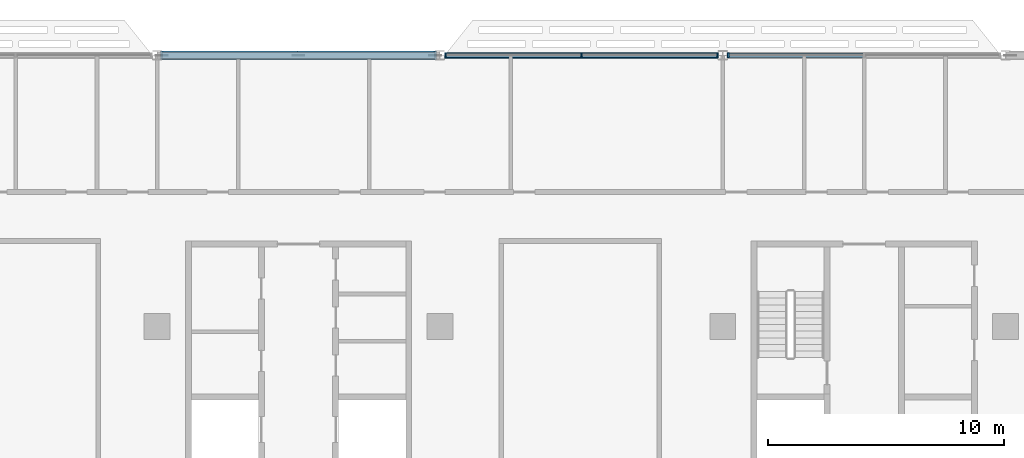
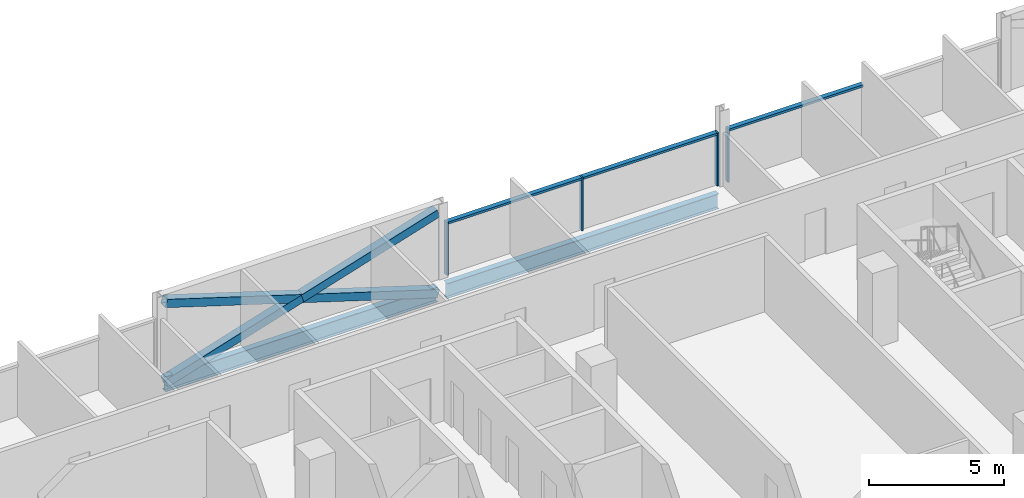
# One storey, part 8 of 30: 10 members, 2 beams, 2 elements without a shape of their own.
"""IFC4 building model written with IfcOpenShell, lengths in metres."""

from ifc_helpers import new_model, si_unit, direction, frame, origin, origin_2d, place, context, subcontext, project, spatial, rectangle, hollow_rectangle, i_section, extrude, material, material_profile, profile_set, type_object, element, aggregate, save


model = new_model("IFC4")

# Units and contexts
model_context = context("Model", 3, precision=1e-05, world=origin(), true_north=direction((0.0, 1.0)))
body_context = subcontext(model_context, "Body", "Model", "MODEL_VIEW")
ifc_project = project(units=[si_unit("LENGTHUNIT", "METRE"), si_unit("AREAUNIT", "SQUARE_METRE"), si_unit("VOLUMEUNIT", "CUBIC_METRE"), si_unit("PLANEANGLEUNIT", "RADIAN"), si_unit("MASSUNIT", "GRAM", prefix="KILO")], contexts=[model_context])

# Site, building, storey
site_placement = place(None, origin())
site = spatial("IfcSite", under=ifc_project, at=site_placement, CompositionType="ELEMENT")
building_placement = place(site_placement, origin())
building = spatial("IfcBuilding", under=site, at=building_placement, Name="Mahtab Terrace Research Tower", CompositionType="ELEMENT")
storey_placement = place(building_placement, frame((0.0, 0.0, 220.5)))
storey = spatial("IfcBuildingStorey", under=building, at=storey_placement, Name="L53", CompositionType="ELEMENT", Elevation=220.5)

# Members
ifc_material_1 = material(Name="Steel ASTM A500 Gr C", Category="steel")
ifc_material_profile_1 = material_profile(ifc_material_1, hollow_rectangle(XDim=0.355712890625, YDim=0.355712890625, WallThickness=0.015869140625, at=origin_2d()), Name="HSS14X14X5/8")
ifc_profile_set_1 = profile_set([ifc_material_profile_1], Name="Steel ASTM A500 Gr C")
member_type_1 = type_object("IfcMemberType", Name="HSS 14x14x5/8 brace XB141458", PredefinedType="BRACE", material=ifc_profile_set_1)
member_1_placement = place(storey_placement, frame((5.79931640625, 23.0, -0.616455078125), z_axis=(-0.954709972543, 0.0, 0.297538011566), x_axis=(0.0, -1.0, 0.0)))
element("IfcMember", 1, at=member_1_placement, inside=storey, type_object=member_type_1, Name="Exoskeleton brace L53 05 a", PredefinedType="BRACE", context=body_context, shape_type="SweptSolid", body=[
    extrude(hollow_rectangle(XDim=0.355712890625, YDim=0.355712890625, WallThickness=0.015869140625, at=origin_2d()), origin(), (0.0, 0.0, 1.0), 12.14892578125),
])
for number, where, z_axis, x_axis, name in (
    (2, (-5.79931640625, 23.0, -0.616455078125), (0.954709972543, 0.0, 0.297538011566), (0.0, 1.0, 0.0), "Exoskeleton brace L53 05 b1"),
    (3, (0.0, 23.0, 1.19091796875), (0.954709972543, 0.0, 0.297538011566), (0.0, 1.0, 0.0), "Exoskeleton brace L53 05 b2"),
):
    element("IfcMember", number, at=place(storey_placement, frame(where, z_axis=z_axis, x_axis=x_axis)), inside=storey, type_object=member_type_1, Name=name, PredefinedType="BRACE", context=body_context, shape_type="SweptSolid", body=[
        extrude(hollow_rectangle(XDim=0.355712890625, YDim=0.355712890625, WallThickness=0.015869140625, at=origin_2d()), origin(), (0.0, 0.0, 1.0), 6.074462890625),
    ])

# Curtain wall, member
ifc_material_2 = material(Name="Laboratory ribbon curtain wall")
curtain_wall_type = type_object("IfcCurtainWallType", Name="Laboratory ribbon curtain wall", PredefinedType="NOTDEFINED", material=ifc_material_2)
curtain_wall_1_placement = place(storey_placement, origin())
curtain_wall_1 = element("IfcCurtainWall", 4, at=curtain_wall_1_placement, inside=storey, type_object=curtain_wall_type, Name="EN.L53.3.5", PredefinedType="NOTDEFINED")
ifc_material_3 = material(Name="Natural anodised aluminium", Category="aluminium")
ifc_material_profile_2 = material_profile(ifc_material_3, rectangle(XDim=0.199951171875, YDim=0.06494140625, at=origin_2d()), Name="MULLION 65x200")
ifc_profile_set_2 = profile_set([ifc_material_profile_2], Name="Natural anodised aluminium")
member_type_2 = type_object("IfcMemberType", Name="Laboratory ribbon curtain wall mullion", PredefinedType="MULLION", material=ifc_profile_set_2)
member_2_placement = place(storey_placement, frame((18.232421875, 23.0, 0.0), z_axis=(0.0, 0.0, 1.0), x_axis=(0.0, -1.0, 0.0)))
member_2 = element("IfcMember", 5, at=member_2_placement, type_object=member_type_2, Name="CWL-6 mullion 3", PredefinedType="MULLION", context=body_context, shape_type="SweptSolid", body=[
    extrude(rectangle(XDim=0.199951171875, YDim=0.06494140625, at=origin_2d()), origin(), (0.0, 0.0, 1.0), 2.401123046875),
])

# Curtain wall, members
curtain_wall_2_placement = place(storey_placement, origin())
curtain_wall_2 = element("IfcCurtainWall", 6, at=curtain_wall_2_placement, inside=storey, type_object=curtain_wall_type, Name="EN.L53.3.6", PredefinedType="NOTDEFINED")
member_3_placement = place(storey_placement, frame((17.767578125, 23.0, 0.0), z_axis=(0.0, 0.0, 1.0), x_axis=(0.0, -1.0, 0.0)))
member_3 = element("IfcMember", 7, at=member_3_placement, type_object=member_type_2, Name="CWL-6 mullion 1", PredefinedType="MULLION", context=body_context, shape_type="SweptSolid", body=[
    extrude(rectangle(XDim=0.199951171875, YDim=0.06494140625, at=origin_2d()), origin(), (0.0, 0.0, 1.0), 2.401123046875),
])
member_4_placement = place(storey_placement, frame((12.0, 23.0, 0.0), z_axis=(0.0, 0.0, 1.0), x_axis=(0.0, -1.0, 0.0)))
member_4 = element("IfcMember", 8, at=member_4_placement, type_object=member_type_2, Name="CWL-6 mullion 2", PredefinedType="MULLION", context=body_context, shape_type="SweptSolid", body=[
    extrude(rectangle(XDim=0.199951171875, YDim=0.06494140625, at=origin_2d()), origin(), (0.0, 0.0, 1.0), 2.401123046875),
])
member_5_placement = place(storey_placement, frame((6.232421875, 23.0, 0.0), z_axis=(0.0, 0.0, 1.0), x_axis=(0.0, -1.0, 0.0)))
member_5 = element("IfcMember", 9, at=member_5_placement, type_object=member_type_2, Name="CWL-6 mullion 3", PredefinedType="MULLION", context=body_context, shape_type="SweptSolid", body=[
    extrude(rectangle(XDim=0.199951171875, YDim=0.06494140625, at=origin_2d()), origin(), (0.0, 0.0, 1.0), 2.401123046875),
])

# Member
ifc_material_profile_3 = material_profile(ifc_material_3, rectangle(XDim=0.199951171875, YDim=0.10009765625, at=origin_2d()), Name="TRANSOM 100x200")
ifc_profile_set_3 = profile_set([ifc_material_profile_3], Name="Natural anodised aluminium")
member_type_3 = type_object("IfcMemberType", Name="Laboratory ribbon curtain wall transom", PredefinedType="USERDEFINED", material=ifc_profile_set_3)
member_6_placement = place(storey_placement, frame((23.967529296875, 23.0, 2.351318359375), z_axis=(-1.0, 0.0, 0.0), x_axis=(0.0, -1.0, 0.0)))
member_6 = element("IfcMember", 10, at=member_6_placement, type_object=member_type_3, Name="CWL-6 transom 2", ObjectType="TRANSOM", PredefinedType="USERDEFINED", context=body_context, shape_type="SweptSolid", body=[
    extrude(rectangle(XDim=0.199951171875, YDim=0.10009765625, at=origin_2d()), origin(), (0.0, 0.0, 1.0), 5.70263671875),
])

aggregate(curtain_wall_1, [member_2, member_6])

member_7_placement = place(storey_placement, frame((17.735107421875, 23.0, 2.351318359375), z_axis=(-1.0, 0.0, 0.0), x_axis=(0.0, -1.0, 0.0)))
member_7 = element("IfcMember", 11, at=member_7_placement, type_object=member_type_3, Name="CWL-6 transom 1", ObjectType="TRANSOM", PredefinedType="USERDEFINED", context=body_context, shape_type="SweptSolid", body=[
    extrude(rectangle(XDim=0.199951171875, YDim=0.10009765625, at=origin_2d()), origin(), (0.0, 0.0, 1.0), 5.70263671875),
])

member_8_placement = place(storey_placement, frame((11.967529296875, 23.0, 2.351318359375), z_axis=(-1.0, 0.0, 0.0), x_axis=(0.0, -1.0, 0.0)))
member_8 = element("IfcMember", 12, at=member_8_placement, type_object=member_type_3, Name="CWL-6 transom 2", ObjectType="TRANSOM", PredefinedType="USERDEFINED", context=body_context, shape_type="SweptSolid", body=[
    extrude(rectangle(XDim=0.199951171875, YDim=0.10009765625, at=origin_2d()), origin(), (0.0, 0.0, 1.0), 5.70263671875),
])

aggregate(curtain_wall_2, [member_3, member_4, member_5, member_7, member_8])

# Beams
ifc_material_4 = material(Name="Steel ASTM A992 Gr 50", Category="steel")
ifc_material_profile_4 = material_profile(ifc_material_4, i_section(OverallWidth=0.25390625, OverallDepth=0.67822265625, WebThickness=0.01171875, FlangeThickness=0.016357421875, at=origin_2d()), Name="W27X84")
ifc_profile_set_4 = profile_set([ifc_material_profile_4], Name="Steel ASTM A992 Gr 50")
beam_type = type_object("IfcBeamType", Name="W27x84 beam BS2784", PredefinedType="BEAM", material=ifc_profile_set_4)
for number, where, z_axis, x_axis, name in (
    (13, (17.79931640625, 23.0, -0.67919921875), (-1.0, 0.0, 0.0), (0.0, -1.0, 0.0), "Spandrel beam L53 04"),
    (14, (5.79931640625, 23.0, -0.67919921875), (-1.0, 0.0, 0.0), (0.0, -1.0, 0.0), "Spandrel beam L53 05"),
):
    element("IfcBeam", number, at=place(storey_placement, frame(where, z_axis=z_axis, x_axis=x_axis)), inside=storey, type_object=beam_type, Name=name, PredefinedType="BEAM", context=body_context, shape_type="SweptSolid", body=[
        extrude(i_section(OverallWidth=0.25390625, OverallDepth=0.67822265625, WebThickness=0.01171875, FlangeThickness=0.016357421875, at=origin_2d()), origin(), (0.0, 0.0, 1.0), 11.5986328125),
    ])

save(model, "model.ifc")
